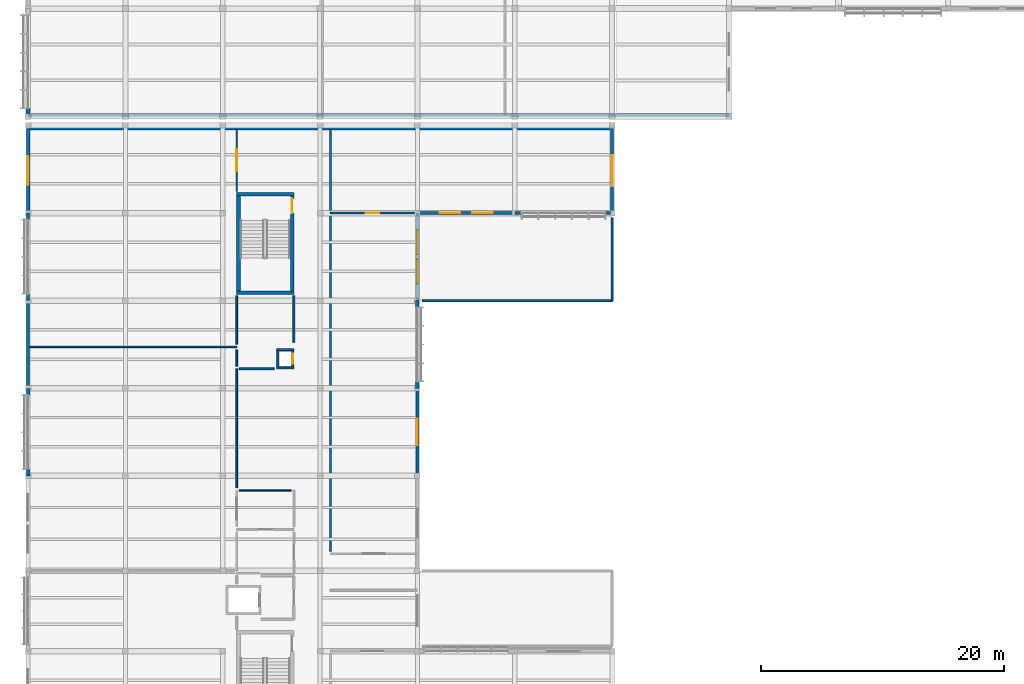
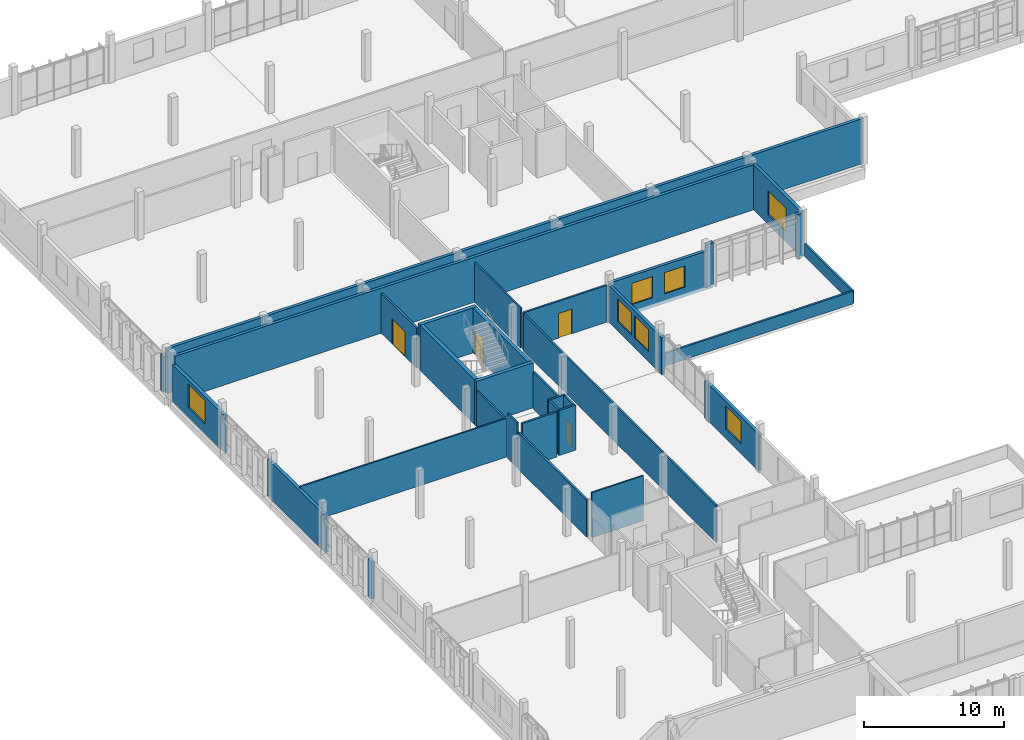
# One storey, part 166 of 182: 38 walls, 7 windows, 4 doors, 11 openings.
"""IFC4 building model written with IfcOpenShell, lengths in metres."""

from ifc_helpers import new_model, si_unit, direction, frame, frame_2d, origin, place, context, subcontext, project, spatial, rectangle, extrude, material, layer, layer_set, type_object, element, fill, save


model = new_model("IFC4")

# Units and contexts
model_context = context("Model", 3, precision=1e-05, world=origin(), true_north=direction((0.0, 1.0)))
body_context = subcontext(model_context, "Body", "Model", "MODEL_VIEW")
ifc_project = project(units=[si_unit("LENGTHUNIT", "METRE"), si_unit("AREAUNIT", "SQUARE_METRE"), si_unit("VOLUMEUNIT", "CUBIC_METRE"), si_unit("PLANEANGLEUNIT", "RADIAN"), si_unit("MASSUNIT", "GRAM", prefix="KILO")], contexts=[model_context])

# Site, building, storey
site_placement = place(None, origin())
site = spatial("IfcSite", under=ifc_project, at=site_placement, CompositionType="ELEMENT")
building_placement = place(site_placement, origin())
building = spatial("IfcBuilding", under=site, at=building_placement, Name="Chiffa Square Polytechnic", CompositionType="ELEMENT")
storey_placement = place(building_placement, frame((0.0, 0.0, 9.60009765625)))
storey = spatial("IfcBuildingStorey", under=building, at=storey_placement, Name="L02", CompositionType="ELEMENT", Elevation=9.60009765625)

# Walls
ifc_material_1 = material(Name="Concrete C40/50", Category="concrete")
ifc_layer_1 = layer(ifc_material_1, 0.300048828125, Name="Concrete C40/50")
ifc_layer_set_1 = layer_set([ifc_layer_1], Name="Concrete C40/50")
wall_type_1 = type_object("IfcWallType", Name="WL-CORE-300", PredefinedType="SHEAR", material=ifc_layer_set_1)
for number, where, z_axis, x_axis, name in (
    (1, (17.14990234375, 80.449951171875, 0.0), (0.0, 0.0, 1.0), (1.0, 0.0, 0.0), "Core or enclosure wall WC-CORE-V6B-L02-SOUTH"),
    (2, (17.14990234375, 88.550048828125, 0.0), (0.0, 0.0, 1.0), (1.0, 0.0, 0.0), "Core or enclosure wall WC-CORE-V6B-L02-NORTH"),
):
    element("IfcWall", number, at=place(storey_placement, frame(where, z_axis=z_axis, x_axis=x_axis)), inside=storey, type_object=wall_type_1, Name=name, PredefinedType="SHEAR", context=body_context, shape_type="SweptSolid", body=[
        extrude(rectangle(XDim=4.7001953125, YDim=0.300048828125, at=frame_2d((2.35009765625, 0.0))), origin(), (0.0, 0.0, 1.0), 3.93994140625),
    ])
wall_1_placement = place(storey_placement, frame((17.300048828125, 80.60009765625, 0.0), z_axis=(0.0, 0.0, 1.0), x_axis=(0.0, 1.0, 0.0)))
element("IfcWall", 3, at=wall_1_placement, inside=storey, type_object=wall_type_1, Name="Core or enclosure wall WC-CORE-V6B-L02-WEST", PredefinedType="SHEAR", context=body_context, shape_type="SweptSolid", body=[
    extrude(rectangle(XDim=7.7998046875, YDim=0.300048828125, at=frame_2d((3.89990234375, 0.0))), origin(), (0.0, 0.0, 1.0), 3.93994140625),
])

# Wall, opening, door
wall_2_placement = place(storey_placement, frame((21.699951171875, 80.60009765625, 0.0), z_axis=(0.0, 0.0, 1.0), x_axis=(0.0, 1.0, 0.0)))
wall_2 = element("IfcWall", 4, at=wall_2_placement, inside=storey, type_object=wall_type_1, Name="Core or enclosure wall WC-CORE-V6B-L02-EAST", PredefinedType="SHEAR", context=body_context, shape_type="SweptSolid", body=[
    extrude(rectangle(XDim=7.7998046875, YDim=0.300048828125, at=frame_2d((3.89990234375, 0.0))), origin(), (0.0, 0.0, 1.0), 3.93994140625),
])
opening_1_placement = place(wall_2_placement, frame((6.39990234375, 0.0, 0.0)))
opening_1 = element("IfcOpeningElement", 5, at=opening_1_placement, cuts=wall_2, Name="Opening DS-L02-053", PredefinedType="OPENING", context=body_context, shape_type="SweptSolid", body=[
    extrude(rectangle(XDim=1.199951171875, YDim=2.14990234375, at=frame_2d((0.60009765625, 1.074951171875))), frame((0.0, 0.16015625, 0.0), z_axis=(0.0, -1.0, 0.0), x_axis=(1.0, 0.0, 0.0)), (0.0, 0.0, 1.0), 0.320068359375),
])
ifc_material_2 = material(Name="Fire-rated painted steel leaf", Category="steel")
door_type_1 = type_object("IfcDoorType", Name="DR-STAIR-1200", OperationType="NOTDEFINED", PredefinedType="DOOR", material=ifc_material_2)
door_1_placement = place(opening_1_placement, origin())
door_1 = element("IfcDoor", 6, at=door_1_placement, inside=storey, type_object=door_type_1, Name="Enclosure door DS-L02-053", OperationType="SINGLE_SWING_LEFT", OverallHeight=2.14990234375, OverallWidth=1.199951171875, PredefinedType="DOOR", context=body_context, shape_type="SweptSolid", body=[
    extrude(rectangle(XDim=1.199951171875, YDim=2.14990234375, at=frame_2d((0.60009765625, 1.074951171875))), frame((0.0, 0.02490234375, 0.0), z_axis=(0.0, -1.0, 0.0), x_axis=(1.0, 0.0, 0.0)), (0.0, 0.0, 1.0), 0.050048828125),
])
fill(opening_1, door_1)

# Wall, openings, windows
ifc_material_3 = material(Name="Precast concrete C40/50", Category="concrete")
ifc_layer_2 = layer(ifc_material_3, 0.239990234375, Name="Precast concrete C40/50")
ifc_layer_set_2 = layer_set([ifc_layer_2], Name="Precast concrete C40/50")
wall_type_2 = type_object("IfcWallType", Name="WL-EXT-PC240", PredefinedType="SOLIDWALL", material=ifc_layer_set_2)
wall_3_placement = place(storey_placement, frame((32.0, 79.800048828125, 0.0), z_axis=(0.0, 0.0, 1.0), x_axis=(0.0, 1.0, 0.0)))
wall_3 = element("IfcWall", 7, at=wall_3_placement, inside=storey, type_object=wall_type_2, Name="Exterior wall WE-V6-L02-0436", PredefinedType="SOLIDWALL", context=body_context, shape_type="SweptSolid", body=[
    extrude(rectangle(XDim=7.199951171875, YDim=0.239990234375, at=frame_2d((3.60009765625, 0.0))), origin(), (0.0, 0.0, 1.0), 3.224853515625),
])
opening_2_placement = place(wall_3_placement, frame((1.39990234375, 0.0, 0.85009765625)))
opening_2 = element("IfcOpeningElement", 8, at=opening_2_placement, cuts=wall_3, Name="Opening W-12", PredefinedType="OPENING", context=body_context, shape_type="SweptSolid", body=[
    extrude(rectangle(XDim=2.0, YDim=1.949951171875, at=frame_2d((1.0, 0.97509765625))), frame((0.0, 0.1298828125, 0.0), z_axis=(0.0, -1.0, 0.0), x_axis=(1.0, 0.0, 0.0)), (0.0, 0.0, 1.0), 0.260009765625),
])
opening_3_placement = place(wall_3_placement, frame((3.800048828125, 0.0, 0.85009765625)))
opening_3 = element("IfcOpeningElement", 9, at=opening_3_placement, cuts=wall_3, Name="Opening W-12", PredefinedType="OPENING", context=body_context, shape_type="SweptSolid", body=[
    extrude(rectangle(XDim=2.0, YDim=1.949951171875, at=frame_2d((1.0, 0.97509765625))), frame((0.0, 0.1298828125, 0.0), z_axis=(0.0, -1.0, 0.0), x_axis=(1.0, 0.0, 0.0)), (0.0, 0.0, 1.0), 0.260009765625),
])
ifc_material_4 = material(Name="Double glazing in thermally broken aluminium frame", Category="aluminium")
window_type_1 = type_object("IfcWindowType", Name="WIN-STD-2000X1950", PartitioningType="DOUBLE_PANEL_VERTICAL", PredefinedType="WINDOW", material=ifc_material_4)
window_1_placement = place(opening_2_placement, origin())
window_1 = element("IfcWindow", 10, at=window_1_placement, inside=storey, type_object=window_type_1, Name="Facade window WN-L02-0291", OverallHeight=1.949951171875, OverallWidth=2.0, PartitioningType="DOUBLE_PANEL_VERTICAL", PredefinedType="WINDOW", context=body_context, shape_type="SweptSolid", body=[
    extrude(rectangle(XDim=2.0, YDim=1.949951171875, at=frame_2d((1.0, 0.97509765625))), frame((0.0, 0.030029296875, 0.0), z_axis=(0.0, -1.0, 0.0), x_axis=(1.0, 0.0, 0.0)), (0.0, 0.0, 1.0), 0.06005859375),
])
fill(opening_2, window_1)
window_2_placement = place(opening_3_placement, origin())
window_2 = element("IfcWindow", 11, at=window_2_placement, inside=storey, type_object=window_type_1, Name="Facade window WN-L02-0292", OverallHeight=1.949951171875, OverallWidth=2.0, PartitioningType="DOUBLE_PANEL_VERTICAL", PredefinedType="WINDOW", context=body_context, shape_type="SweptSolid", body=[
    extrude(rectangle(XDim=2.0, YDim=1.949951171875, at=frame_2d((1.0, 0.97509765625))), frame((0.0, 0.030029296875, 0.0), z_axis=(0.0, -1.0, 0.0), x_axis=(1.0, 0.0, 0.0)), (0.0, 0.0, 1.0), 0.06005859375),
])
fill(opening_3, window_2)

wall_4_placement = place(storey_placement, frame((32.0, 87.0, 0.0), z_axis=(0.0, 0.0, 1.0), x_axis=(1.0, 0.0, 0.0)))
wall_4 = element("IfcWall", 12, at=wall_4_placement, inside=storey, type_object=wall_type_2, Name="Exterior wall WE-V6-L02-0437", PredefinedType="SOLIDWALL", context=body_context, shape_type="SweptSolid", body=[
    extrude(rectangle(XDim=8.0, YDim=0.239990234375, at=frame_2d((4.0, 0.0))), origin(), (0.0, 0.0, 1.0), 3.375),
])
opening_4_placement = place(wall_4_placement, frame((1.81689453125, 0.0, 0.85009765625)))
opening_4 = element("IfcOpeningElement", 13, at=opening_4_placement, cuts=wall_4, Name="Opening W-14", PredefinedType="OPENING", context=body_context, shape_type="SweptSolid", body=[
    extrude(rectangle(XDim=1.699951171875, YDim=1.85009765625, at=frame_2d((0.85009765625, 0.925048828125))), frame((0.0, 0.1298828125, 0.0), z_axis=(0.0, -1.0, 0.0), x_axis=(1.0, 0.0, 0.0)), (0.0, 0.0, 1.0), 0.260009765625),
])
opening_5_placement = place(wall_4_placement, frame((4.48291015625, 0.0, 0.85009765625)))
opening_5 = element("IfcOpeningElement", 14, at=opening_5_placement, cuts=wall_4, Name="Opening W-14", PredefinedType="OPENING", context=body_context, shape_type="SweptSolid", body=[
    extrude(rectangle(XDim=1.699951171875, YDim=1.85009765625, at=frame_2d((0.85009765625, 0.925048828125))), frame((0.0, 0.1298828125, 0.0), z_axis=(0.0, -1.0, 0.0), x_axis=(1.0, 0.0, 0.0)), (0.0, 0.0, 1.0), 0.260009765625),
])
window_type_2 = type_object("IfcWindowType", Name="WIN-STD-1700X1850", PartitioningType="DOUBLE_PANEL_VERTICAL", PredefinedType="WINDOW", material=ifc_material_4)
window_3_placement = place(opening_4_placement, origin())
window_3 = element("IfcWindow", 15, at=window_3_placement, inside=storey, type_object=window_type_2, Name="Facade window WN-L02-0293", OverallHeight=1.85009765625, OverallWidth=1.699951171875, PartitioningType="DOUBLE_PANEL_VERTICAL", PredefinedType="WINDOW", context=body_context, shape_type="SweptSolid", body=[
    extrude(rectangle(XDim=1.699951171875, YDim=1.85009765625, at=frame_2d((0.85009765625, 0.925048828125))), frame((0.0, 0.030029296875, 0.0), z_axis=(0.0, -1.0, 0.0), x_axis=(1.0, 0.0, 0.0)), (0.0, 0.0, 1.0), 0.06005859375),
])
fill(opening_4, window_3)
window_4_placement = place(opening_5_placement, origin())
window_4 = element("IfcWindow", 16, at=window_4_placement, inside=storey, type_object=window_type_2, Name="Facade window WN-L02-0294", OverallHeight=1.85009765625, OverallWidth=1.699951171875, PartitioningType="DOUBLE_PANEL_VERTICAL", PredefinedType="WINDOW", context=body_context, shape_type="SweptSolid", body=[
    extrude(rectangle(XDim=1.699951171875, YDim=1.85009765625, at=frame_2d((0.85009765625, 0.925048828125))), frame((0.0, 0.030029296875, 0.0), z_axis=(0.0, -1.0, 0.0), x_axis=(1.0, 0.0, 0.0)), (0.0, 0.0, 1.0), 0.06005859375),
])
fill(opening_5, window_4)

# Walls
for number, where, z_axis, x_axis, name in (
    (17, (0.0, 87.0, 0.0), (0.0, 0.0, 1.0), (0.0, -1.0, 0.0), "Facade column pier V6-L02-0442L"),
    (18, (0.0, 80.340087890625, 0.0), (0.0, 0.0, 1.0), (0.0, -1.0, 0.0), "Facade column pier V6-L02-0442R"),
):
    element("IfcWall", number, at=place(storey_placement, frame(where, z_axis=z_axis, x_axis=x_axis)), inside=storey, type_object=wall_type_2, Name=name, PredefinedType="SOLIDWALL", context=body_context, shape_type="SweptSolid", body=[
        extrude(rectangle(XDim=0.5400390625, YDim=0.239990234375, at=frame_2d((0.27001953125, 0.0))), origin(), (0.0, 0.0, 1.0), 3.224853515625),
    ])

# Wall, opening, window
ifc_layer_3 = layer(ifc_material_3, 0.260009765625, Name="Precast concrete C40/50")
ifc_layer_set_3 = layer_set([ifc_layer_3], Name="Precast concrete C40/50")
wall_type_3 = type_object("IfcWallType", Name="WL-EXT-PC260", PredefinedType="SOLIDWALL", material=ifc_layer_set_3)
wall_5_placement = place(storey_placement, frame((32.0, 65.39990234375, 0.0), z_axis=(0.0, 0.0, 1.0), x_axis=(0.0, 1.0, 0.0)))
wall_5 = element("IfcWall", 19, at=wall_5_placement, inside=storey, type_object=wall_type_3, Name="Exterior wall WE-V6-L02-0434", PredefinedType="SOLIDWALL", context=body_context, shape_type="SweptSolid", body=[
    extrude(rectangle(XDim=7.2001953125, YDim=0.260009765625, at=frame_2d((3.60009765625, 0.0))), origin(), (0.0, 0.0, 1.0), 3.224853515625),
])
opening_6_placement = place(wall_5_placement, frame((2.5, 0.0, 0.85009765625)))
opening_6 = element("IfcOpeningElement", 20, at=opening_6_placement, cuts=wall_5, Name="Opening W-11", PredefinedType="OPENING", context=body_context, shape_type="SweptSolid", body=[
    extrude(rectangle(XDim=2.199951171875, YDim=2.0, at=frame_2d((1.10009765625, 1.0))), frame((0.0, 0.14013671875, 0.0), z_axis=(0.0, -1.0, 0.0), x_axis=(1.0, 0.0, 0.0)), (0.0, 0.0, 1.0), 0.280029296875),
])
window_type_3 = type_object("IfcWindowType", Name="WIN-STD-2200X2000", PartitioningType="DOUBLE_PANEL_VERTICAL", PredefinedType="WINDOW", material=ifc_material_4)
window_5_placement = place(opening_6_placement, origin())
window_5 = element("IfcWindow", 21, at=window_5_placement, inside=storey, type_object=window_type_3, Name="Facade window WN-L02-0290", OverallHeight=2.0, OverallWidth=2.199951171875, PartitioningType="DOUBLE_PANEL_VERTICAL", PredefinedType="WINDOW", context=body_context, shape_type="SweptSolid", body=[
    extrude(rectangle(XDim=2.199951171875, YDim=2.0, at=frame_2d((1.10009765625, 1.0))), frame((0.0, 0.030029296875, 0.0), z_axis=(0.0, -1.0, 0.0), x_axis=(1.0, 0.0, 0.0)), (0.0, 0.0, 1.0), 0.06005859375),
])
fill(opening_6, window_5)

# Walls
wall_6_placement = place(storey_placement, frame((40.0, 87.0, 0.0), z_axis=(0.0, 0.0, 1.0), x_axis=(1.0, 0.0, 0.0)))
element("IfcWall", 22, at=wall_6_placement, inside=storey, type_object=wall_type_3, Name="Facade column pier V6-L02-0438L", PredefinedType="SOLIDWALL", context=body_context, shape_type="SweptSolid", body=[
    extrude(rectangle(XDim=0.5400390625, YDim=0.260009765625, at=frame_2d((0.27001953125, 0.0))), origin(), (0.0, 0.0, 1.0), 3.93994140625),
])
wall_7_placement = place(storey_placement, frame((47.4599609375, 87.0, 0.0), z_axis=(0.0, 0.0, 1.0), x_axis=(1.0, 0.0, 0.0)))
element("IfcWall", 23, at=wall_7_placement, inside=storey, type_object=wall_type_3, Name="Facade column pier V6-L02-0438R", PredefinedType="SOLIDWALL", context=body_context, shape_type="SweptSolid", body=[
    extrude(rectangle(XDim=0.407958984375, YDim=0.260009765625, at=frame_2d((0.2041015625, 0.0))), origin(), (0.0, 0.0, 1.0), 3.93994140625),
])

# Wall, opening, window
wall_8_placement = place(storey_placement, frame((48.0, 87.0, 0.0), z_axis=(0.0, 0.0, 1.0), x_axis=(0.0, 1.0, 0.0)))
wall_8 = element("IfcWall", 24, at=wall_8_placement, inside=storey, type_object=wall_type_3, Name="Exterior wall WE-V6-L02-0439", PredefinedType="SOLIDWALL", context=body_context, shape_type="SweptSolid", body=[
    extrude(rectangle(XDim=6.949951171875, YDim=0.260009765625, at=frame_2d((3.47509765625, 0.0))), origin(), (0.0, 0.0, 1.0), 3.93994140625),
])
opening_7_placement = place(wall_8_placement, frame((2.199951171875, 0.0, 0.85009765625)))
opening_7 = element("IfcOpeningElement", 25, at=opening_7_placement, cuts=wall_8, Name="Opening W-09", PredefinedType="OPENING", context=body_context, shape_type="SweptSolid", body=[
    extrude(rectangle(XDim=2.550048828125, YDim=2.10009765625, at=frame_2d((1.27490234375, 1.050048828125))), frame((0.0, 0.14013671875, 0.0), z_axis=(0.0, -1.0, 0.0), x_axis=(1.0, 0.0, 0.0)), (0.0, 0.0, 1.0), 0.280029296875),
])
window_type_4 = type_object("IfcWindowType", Name="WIN-STD-2550X2100", PartitioningType="DOUBLE_PANEL_VERTICAL", PredefinedType="WINDOW", material=ifc_material_4)
window_6_placement = place(opening_7_placement, origin())
window_6 = element("IfcWindow", 26, at=window_6_placement, inside=storey, type_object=window_type_4, Name="Facade window WN-L02-0295", OverallHeight=2.10009765625, OverallWidth=2.550048828125, PartitioningType="DOUBLE_PANEL_VERTICAL", PredefinedType="WINDOW", context=body_context, shape_type="SweptSolid", body=[
    extrude(rectangle(XDim=2.550048828125, YDim=2.10009765625, at=frame_2d((1.27490234375, 1.050048828125))), frame((0.0, 0.030029296875, 0.0), z_axis=(0.0, -1.0, 0.0), x_axis=(1.0, 0.0, 0.0)), (0.0, 0.0, 1.0), 0.06005859375),
])
fill(opening_7, window_6)

# Walls
wall_9_placement = place(storey_placement, frame((0.0, 79.800048828125, 0.0), z_axis=(0.0, 0.0, 1.0), x_axis=(0.0, -1.0, 0.0)))
element("IfcWall", 27, at=wall_9_placement, inside=storey, type_object=wall_type_3, Name="Exterior wall WE-V6-L02-0443", PredefinedType="SOLIDWALL", context=body_context, shape_type="SweptSolid", body=[
    extrude(rectangle(XDim=7.199951171875, YDim=0.260009765625, at=frame_2d((3.60009765625, 0.0))), origin(), (0.0, 0.0, 1.0), 3.224853515625),
])
ifc_layer_4 = layer(ifc_material_3, 0.280029296875, Name="Precast concrete C40/50")
ifc_layer_set_4 = layer_set([ifc_layer_4], Name="Precast concrete C40/50")
wall_type_4 = type_object("IfcWallType", Name="WL-EXT-PC280", PredefinedType="SOLIDWALL", material=ifc_layer_set_4)
wall_10_placement = place(storey_placement, frame((32.0, 72.60009765625, 0.0), z_axis=(0.0, 0.0, 1.0), x_axis=(0.0, 1.0, 0.0)))
element("IfcWall", 28, at=wall_10_placement, inside=storey, type_object=wall_type_4, Name="Facade column pier V6-L02-0435L", PredefinedType="SOLIDWALL", context=body_context, shape_type="SweptSolid", body=[
    extrude(rectangle(XDim=0.539794921875, YDim=0.280029296875, at=frame_2d((0.27001953125, 0.0))), origin(), (0.0, 0.0, 1.0), 3.224853515625),
])
wall_11_placement = place(storey_placement, frame((32.0, 79.260009765625, 0.0), z_axis=(0.0, 0.0, 1.0), x_axis=(0.0, 1.0, 0.0)))
element("IfcWall", 29, at=wall_11_placement, inside=storey, type_object=wall_type_4, Name="Facade column pier V6-L02-0435R", PredefinedType="SOLIDWALL", context=body_context, shape_type="SweptSolid", body=[
    extrude(rectangle(XDim=0.5400390625, YDim=0.280029296875, at=frame_2d((0.27001953125, 0.0))), origin(), (0.0, 0.0, 1.0), 3.224853515625),
])

# Wall, opening, window
wall_12_placement = place(storey_placement, frame((0.0, 93.949951171875, 0.0), z_axis=(0.0, 0.0, 1.0), x_axis=(0.0, -1.0, 0.0)))
wall_12 = element("IfcWall", 30, at=wall_12_placement, inside=storey, type_object=wall_type_4, Name="Exterior wall WE-V6-L02-0441", PredefinedType="SOLIDWALL", context=body_context, shape_type="SweptSolid", body=[
    extrude(rectangle(XDim=6.949951171875, YDim=0.280029296875, at=frame_2d((3.47509765625, 0.0))), origin(), (0.0, 0.0, 1.0), 3.224853515625),
])
opening_8_placement = place(wall_12_placement, frame((2.27490234375, 0.0, 0.85009765625)))
opening_8 = element("IfcOpeningElement", 31, at=opening_8_placement, cuts=wall_12, Name="Opening W-10", PredefinedType="OPENING", context=body_context, shape_type="SweptSolid", body=[
    extrude(rectangle(XDim=2.39990234375, YDim=2.050048828125, at=frame_2d((1.199951171875, 1.02490234375))), frame((0.0, 0.14990234375, 0.0), z_axis=(0.0, -1.0, 0.0), x_axis=(1.0, 0.0, 0.0)), (0.0, 0.0, 1.0), 0.300048828125),
])
window_type_5 = type_object("IfcWindowType", Name="WIN-STD-2400X2050", PartitioningType="DOUBLE_PANEL_VERTICAL", PredefinedType="WINDOW", material=ifc_material_4)
window_7_placement = place(opening_8_placement, origin())
window_7 = element("IfcWindow", 32, at=window_7_placement, inside=storey, type_object=window_type_5, Name="Facade window WN-L02-0296", OverallHeight=2.050048828125, OverallWidth=2.39990234375, PartitioningType="DOUBLE_PANEL_VERTICAL", PredefinedType="WINDOW", context=body_context, shape_type="SweptSolid", body=[
    extrude(rectangle(XDim=2.39990234375, YDim=2.050048828125, at=frame_2d((1.199951171875, 1.02490234375))), frame((0.0, 0.030029296875, 0.0), z_axis=(0.0, -1.0, 0.0), x_axis=(1.0, 0.0, 0.0)), (0.0, 0.0, 1.0), 0.06005859375),
])
fill(opening_8, window_7)

# Walls
for number, where, z_axis, x_axis, name in (
    (33, (0.0, 72.60009765625, 0.0), (0.0, 0.0, 1.0), (0.0, -1.0, 0.0), "Facade column pier V6-L02-0444L"),
    (34, (0.0, 65.93994140625, 0.0), (0.0, 0.0, 1.0), (0.0, -1.0, 0.0), "Facade column pier V6-L02-0444R"),
):
    element("IfcWall", number, at=place(storey_placement, frame(where, z_axis=z_axis, x_axis=x_axis)), inside=storey, type_object=wall_type_4, Name=name, PredefinedType="SOLIDWALL", context=body_context, shape_type="SweptSolid", body=[
        extrude(rectangle(XDim=0.5400390625, YDim=0.280029296875, at=frame_2d((0.27001953125, 0.0))), origin(), (0.0, 0.0, 1.0), 3.224853515625),
    ])
ifc_layer_5 = layer(ifc_material_3, 0.320068359375, Name="Precast concrete C40/50")
ifc_layer_set_5 = layer_set([ifc_layer_5], Name="Precast concrete C40/50")
wall_type_5 = type_object("IfcWallType", Name="WL-EXT-PC320", PredefinedType="SOLIDWALL", material=ifc_layer_set_5)
wall_13_placement = place(storey_placement, frame((0.0, 95.590087890625, 0.0), z_axis=(0.0, 0.0, 1.0), x_axis=(0.0, -1.0, 0.0)))
element("IfcWall", 35, at=wall_13_placement, inside=storey, type_object=wall_type_5, Name="Facade column pier V5-L02-0327R", PredefinedType="SOLIDWALL", context=body_context, shape_type="SweptSolid", body=[
    extrude(rectangle(XDim=0.4130859375, YDim=0.320068359375, at=frame_2d((0.20654296875, 0.0))), origin(), (0.0, 0.0, 1.0), 3.1748046875),
])
ifc_layer_6 = layer(ifc_material_3, 0.159912109375, Name="Precast concrete C40/50")
ifc_layer_set_6 = layer_set([ifc_layer_6], Name="Precast concrete C40/50")
wall_type_6 = type_object("IfcWallType", Name="WL-PAR-160", PredefinedType="PARAPET", material=ifc_layer_set_6)
wall_14_placement = place(storey_placement, frame((32.39990234375, 79.800048828125, 0.2998046875), z_axis=(0.0, 0.0, 1.0), x_axis=(1.0, 0.0, 0.0)))
element("IfcWall", 36, at=wall_14_placement, inside=storey, type_object=wall_type_6, Name="Roof parapet PRP-V6-L02B-1", PredefinedType="PARAPET", context=body_context, shape_type="SweptSolid", body=[
    extrude(rectangle(XDim=15.60009765625, YDim=0.159912109375, at=frame_2d((7.800048828125, 0.0))), origin(), (0.0, 0.0, 1.0), 1.10009765625),
])
wall_15_placement = place(storey_placement, frame((48.0, 79.800048828125, 0.2998046875), z_axis=(0.0, 0.0, 1.0), x_axis=(0.0, 1.0, 0.0)))
element("IfcWall", 37, at=wall_15_placement, inside=storey, type_object=wall_type_6, Name="Roof parapet PRP-V6-L02B-2", PredefinedType="PARAPET", context=body_context, shape_type="SweptSolid", body=[
    extrude(rectangle(XDim=6.800048828125, YDim=0.159912109375, at=frame_2d((3.39990234375, 0.0))), origin(), (0.0, 0.0, 1.0), 1.10009765625),
])
ifc_material_5 = material(Name="Gypsum board on steel stud", Category="steel")
ifc_layer_7 = layer(ifc_material_5, 0.125, Name="Gypsum board on steel stud")
ifc_layer_set_7 = layer_set([ifc_layer_7], Name="Gypsum board on steel stud")
wall_type_7 = type_object("IfcWallType", Name="WL-PART-125", PredefinedType="PARTITIONING", material=ifc_layer_set_7)
wall_16_placement = place(storey_placement, frame((0.054931640625, 76.0, 0.0), z_axis=(0.0, 0.0, 1.0), x_axis=(1.0, 0.0, 0.0)))
element("IfcWall", 38, at=wall_16_placement, inside=storey, type_object=wall_type_7, Name="Interior partition WP-V6-L02-0452", PredefinedType="PARTITIONING", context=body_context, shape_type="SweptSolid", body=[
    extrude(rectangle(XDim=17.094970703125, YDim=0.125, at=frame_2d((8.54736328125, 0.0))), origin(), (0.0, 0.0, 1.0), 3.375),
])
wall_17_placement = place(storey_placement, frame((17.14990234375, 74.419921875, 0.0), z_axis=(0.0, 0.0, 1.0), x_axis=(0.0, 1.0, 0.0)))
element("IfcWall", 39, at=wall_17_placement, inside=storey, type_object=wall_type_7, Name="Interior partition WP-V6-L02-0455", PredefinedType="PARTITIONING", context=body_context, shape_type="SweptSolid", body=[
    extrude(rectangle(XDim=1.360107421875, YDim=0.125, at=frame_2d((0.68017578125, 0.0))), origin(), (0.0, 0.0, 1.0), 3.93994140625),
])
ifc_layer_8 = layer(ifc_material_5, 0.135009765625, Name="Gypsum board on steel stud")
ifc_layer_set_8 = layer_set([ifc_layer_8], Name="Gypsum board on steel stud")
wall_type_8 = type_object("IfcWallType", Name="WL-PART-135", PredefinedType="PARTITIONING", material=ifc_layer_set_8)
wall_18_placement = place(storey_placement, frame((24.85009765625, 87.219970703125, 0.0), z_axis=(0.0, 0.0, 1.0), x_axis=(0.0, 1.0, 0.0)))
element("IfcWall", 40, at=wall_18_placement, inside=storey, type_object=wall_type_8, Name="Interior partition WP-V6-L02-0433", PredefinedType="PARTITIONING", context=body_context, shape_type="SweptSolid", body=[
    extrude(rectangle(XDim=6.675048828125, YDim=0.135009765625, at=frame_2d((3.33740234375, 0.0))), origin(), (0.0, 0.0, 1.0), 3.48486328125),
])

# Wall, opening, door
ifc_layer_9 = layer(ifc_material_5, 0.14501953125, Name="Gypsum board on steel stud")
ifc_layer_set_9 = layer_set([ifc_layer_9], Name="Gypsum board on steel stud")
wall_type_9 = type_object("IfcWallType", Name="WL-PART-145", PredefinedType="PARTITIONING", material=ifc_layer_set_9)
wall_19_placement = place(storey_placement, frame((24.85009765625, 87.0, 0.0), z_axis=(0.0, 0.0, 1.0), x_axis=(1.0, 0.0, 0.0)))
wall_19 = element("IfcWall", 41, at=wall_19_placement, inside=storey, type_object=wall_type_9, Name="Interior partition WP-V6-L02-0432", PredefinedType="PARTITIONING", context=body_context, shape_type="SweptSolid", body=[
    extrude(rectangle(XDim=6.909912109375, YDim=0.14501953125, at=frame_2d((3.455078125, 0.0))), origin(), (0.0, 0.0, 1.0), 3.224853515625),
])
opening_9_placement = place(wall_19_placement, frame((2.905029296875, 0.0, 0.0)))
opening_9 = element("IfcOpeningElement", 42, at=opening_9_placement, cuts=wall_19, Name="Opening DI-L02-175", PredefinedType="OPENING", context=body_context, shape_type="SweptSolid", body=[
    extrude(rectangle(XDim=1.10009765625, YDim=2.14990234375, at=frame_2d((0.550048828125, 1.074951171875))), frame((0.0, 0.08251953125, 0.0), z_axis=(0.0, -1.0, 0.0), x_axis=(1.0, 0.0, 0.0)), (0.0, 0.0, 1.0), 0.1650390625),
])
ifc_material_6 = material(Name="Solid core ash veneer door")
door_type_2 = type_object("IfcDoorType", Name="DR-INT-1100", OperationType="NOTDEFINED", PredefinedType="DOOR", material=ifc_material_6)
door_2_placement = place(opening_9_placement, origin())
door_2 = element("IfcDoor", 43, at=door_2_placement, inside=storey, type_object=door_type_2, Name="Interior room door DI-L02-175", OperationType="SINGLE_SWING_LEFT", OverallHeight=2.14990234375, OverallWidth=1.10009765625, PredefinedType="DOOR", context=body_context, shape_type="SweptSolid", body=[
    extrude(rectangle(XDim=1.10009765625, YDim=2.14990234375, at=frame_2d((0.550048828125, 1.074951171875))), frame((0.0, 0.02490234375, 0.0), z_axis=(0.0, -1.0, 0.0), x_axis=(1.0, 0.0, 0.0)), (0.0, 0.0, 1.0), 0.050048828125),
])
fill(opening_9, door_2)

# Walls
wall_20_placement = place(storey_placement, frame((24.85009765625, 59.219970703125, 0.0), z_axis=(0.0, 0.0, 1.0), x_axis=(0.0, 1.0, 0.0)))
element("IfcWall", 44, at=wall_20_placement, inside=storey, type_object=wall_type_9, Name="Interior partition WP-V6-L02-0441", PredefinedType="PARTITIONING", context=body_context, shape_type="SweptSolid", body=[
    extrude(rectangle(XDim=27.56005859375, YDim=0.14501953125, at=frame_2d((13.780029296875, 0.0))), origin(), (0.0, 0.0, 1.0), 3.224853515625),
])
wall_21_placement = place(storey_placement, frame((17.14990234375, 76.219970703125, 0.0), z_axis=(0.0, 0.0, 1.0), x_axis=(0.0, 1.0, 0.0)))
element("IfcWall", 45, at=wall_21_placement, inside=storey, type_object=wall_type_9, Name="Interior partition WP-V6-L02-0453", PredefinedType="PARTITIONING", context=body_context, shape_type="SweptSolid", body=[
    extrude(rectangle(XDim=3.989990234375, YDim=0.14501953125, at=frame_2d((1.9951171875, 0.0))), origin(), (0.0, 0.0, 1.0), 3.224853515625),
])
ifc_material_7 = material(Name="Gypsum board on acoustic steel stud", Category="steel")
ifc_layer_10 = layer(ifc_material_7, 0.159912109375, Name="Gypsum board on acoustic steel stud")
ifc_layer_set_10 = layer_set([ifc_layer_10], Name="Gypsum board on acoustic steel stud")
wall_type_10 = type_object("IfcWallType", Name="WL-PART-EI60-160", PredefinedType="PARTITIONING", material=ifc_layer_set_10)
for number, where, z_axis, x_axis, name in (
    (46, (20.449951171875, 74.280029296875, 0.0), (0.0, 0.0, 1.0), (1.0, 0.0, 0.0), "Core or enclosure wall WP-RSR-V6-N-L02-SOUTH"),
    (47, (20.449951171875, 75.77001953125, 0.0), (0.0, 0.0, 1.0), (1.0, 0.0, 0.0), "Core or enclosure wall WP-RSR-V6-N-L02-NORTH"),
):
    element("IfcWall", number, at=place(storey_placement, frame(where, z_axis=z_axis, x_axis=x_axis)), inside=storey, type_object=wall_type_10, Name=name, PredefinedType="PARTITIONING", context=body_context, shape_type="SweptSolid", body=[
        extrude(rectangle(XDim=1.400146484375, YDim=0.159912109375, at=frame_2d((0.7001953125, 0.0))), origin(), (0.0, 0.0, 1.0), 3.93994140625),
    ])
wall_22_placement = place(storey_placement, frame((20.530029296875, 74.360107421875, 0.0), z_axis=(0.0, 0.0, 1.0), x_axis=(0.0, 1.0, 0.0)))
element("IfcWall", 48, at=wall_22_placement, inside=storey, type_object=wall_type_10, Name="Core or enclosure wall WP-RSR-V6-N-L02-WEST", PredefinedType="PARTITIONING", context=body_context, shape_type="SweptSolid", body=[
    extrude(rectangle(XDim=1.329833984375, YDim=0.159912109375, at=frame_2d((0.6650390625, 0.0))), origin(), (0.0, 0.0, 1.0), 3.93994140625),
])

# Wall, opening, door
wall_23_placement = place(storey_placement, frame((21.77001953125, 74.360107421875, 0.0), z_axis=(0.0, 0.0, 1.0), x_axis=(0.0, 1.0, 0.0)))
wall_23 = element("IfcWall", 49, at=wall_23_placement, inside=storey, type_object=wall_type_10, Name="Core or enclosure wall WP-RSR-V6-N-L02-EAST", PredefinedType="PARTITIONING", context=body_context, shape_type="SweptSolid", body=[
    extrude(rectangle(XDim=1.329833984375, YDim=0.159912109375, at=frame_2d((0.6650390625, 0.0))), origin(), (0.0, 0.0, 1.0), 3.93994140625),
])
opening_10_placement = place(wall_23_placement, frame((0.239990234375, 0.0, 0.0)))
opening_10 = element("IfcOpeningElement", 50, at=opening_10_placement, cuts=wall_23, Name="Opening DI-L02-R24", PredefinedType="OPENING", context=body_context, shape_type="SweptSolid", body=[
    extrude(rectangle(XDim=0.85009765625, YDim=2.02001953125, at=frame_2d((0.425048828125, 1.010009765625))), frame((0.0, 0.08984375, 0.0), z_axis=(0.0, -1.0, 0.0), x_axis=(1.0, 0.0, 0.0)), (0.0, 0.0, 1.0), 0.179931640625),
])
ifc_material_8 = material(Name="Fire-rated steel riser access door", Category="steel")
door_type_3 = type_object("IfcDoorType", Name="DR-RISER-850", OperationType="NOTDEFINED", PredefinedType="DOOR", material=ifc_material_8)
door_3_placement = place(opening_10_placement, origin())
door_3 = element("IfcDoor", 51, at=door_3_placement, inside=storey, type_object=door_type_3, Name="Enclosure door DI-L02-R24", OperationType="SINGLE_SWING_RIGHT", OverallHeight=2.02001953125, OverallWidth=0.85009765625, PredefinedType="DOOR", context=body_context, shape_type="SweptSolid", body=[
    extrude(rectangle(XDim=0.85009765625, YDim=2.02001953125, at=frame_2d((0.425048828125, 1.010009765625))), frame((0.0, 0.02490234375, 0.0), z_axis=(0.0, -1.0, 0.0), x_axis=(1.0, 0.0, 0.0)), (0.0, 0.0, 1.0), 0.050048828125),
])
fill(opening_10, door_3)

# Wall
wall_24_placement = place(storey_placement, frame((17.14990234375, 64.419921875, 0.0), z_axis=(0.0, 0.0, 1.0), x_axis=(0.0, 1.0, 0.0)))
element("IfcWall", 52, at=wall_24_placement, inside=storey, type_object=wall_type_10, Name="Interior partition WP-V6-L02-0449", PredefinedType="PARTITIONING", context=body_context, shape_type="SweptSolid", body=[
    extrude(rectangle(XDim=9.780029296875, YDim=0.159912109375, at=frame_2d((4.89013671875, 0.0))), origin(), (0.0, 0.0, 1.0), 3.224853515625),
])

# Wall, opening, door
wall_25_placement = place(storey_placement, frame((17.14990234375, 88.7900390625, 0.0), z_axis=(0.0, 0.0, 1.0), x_axis=(0.0, 1.0, 0.0)))
wall_25 = element("IfcWall", 53, at=wall_25_placement, inside=storey, type_object=wall_type_10, Name="Interior partition WP-V6-L02-0450", PredefinedType="PARTITIONING", context=body_context, shape_type="SweptSolid", body=[
    extrude(rectangle(XDim=5.10498046875, YDim=0.159912109375, at=frame_2d((2.552490234375, 0.0))), origin(), (0.0, 0.0, 1.0), 3.48486328125),
])
opening_11_placement = place(wall_25_placement, frame((1.652099609375, 0.0, 0.0)))
opening_11 = element("IfcOpeningElement", 54, at=opening_11_placement, cuts=wall_25, Name="Opening DI-L02-178", PredefinedType="OPENING", context=body_context, shape_type="SweptSolid", body=[
    extrude(rectangle(XDim=1.800048828125, YDim=2.199951171875, at=frame_2d((0.89990234375, 1.10009765625))), frame((0.0, 0.08984375, 0.0), z_axis=(0.0, -1.0, 0.0), x_axis=(1.0, 0.0, 0.0)), (0.0, 0.0, 1.0), 0.179931640625),
])
ifc_material_9 = material(Name="Solid oak fire door pair")
door_type_4 = type_object("IfcDoorType", Name="DR-CORR-DBL-1800", OperationType="DOUBLE_DOOR_SINGLE_SWING", PredefinedType="DOOR", material=ifc_material_9)
door_4_placement = place(opening_11_placement, origin())
door_4 = element("IfcDoor", 55, at=door_4_placement, inside=storey, type_object=door_type_4, Name="Interior room door DI-L02-178", OperationType="DOUBLE_DOOR_SINGLE_SWING", OverallHeight=2.199951171875, OverallWidth=1.800048828125, PredefinedType="DOOR", context=body_context, shape_type="SweptSolid", body=[
    extrude(rectangle(XDim=1.800048828125, YDim=2.199951171875, at=frame_2d((0.89990234375, 1.10009765625))), frame((0.0, 0.02490234375, 0.0), z_axis=(0.0, -1.0, 0.0), x_axis=(1.0, 0.0, 0.0)), (0.0, 0.0, 1.0), 0.050048828125),
])
fill(opening_11, door_4)

# Walls
wall_26_placement = place(storey_placement, frame((17.3701171875, 74.199951171875, 0.0), z_axis=(0.0, 0.0, 1.0), x_axis=(1.0, 0.0, 0.0)))
element("IfcWall", 56, at=wall_26_placement, inside=storey, type_object=wall_type_10, Name="Interior partition WP-V6-L02-0500", PredefinedType="PARTITIONING", context=body_context, shape_type="SweptSolid", body=[
    extrude(rectangle(XDim=2.85400390625, YDim=0.159912109375, at=frame_2d((1.427001953125, 0.0))), origin(), (0.0, 0.0, 1.0), 3.93994140625),
])
wall_27_placement = place(storey_placement, frame((21.85009765625, 76.37109375, 0.0), z_axis=(0.0, 0.0, 1.0), x_axis=(0.0, 1.0, 0.0)))
element("IfcWall", 57, at=wall_27_placement, inside=storey, type_object=wall_type_10, Name="Interior partition WP-V6-L02-0501", PredefinedType="PARTITIONING", context=body_context, shape_type="SweptSolid", body=[
    extrude(rectangle(XDim=3.8388671875, YDim=0.159912109375, at=frame_2d((1.91943359375, 0.0))), origin(), (0.0, 0.0, 1.0), 3.224853515625),
])
ifc_material_10 = material(Name="Moisture-resistant board partition")
ifc_layer_11 = layer(ifc_material_10, 0.1201171875, Name="Moisture-resistant board partition")
ifc_layer_set_11 = layer_set([ifc_layer_11], Name="Moisture-resistant board partition")
wall_type_11 = type_object("IfcWallType", Name="WL-PART-WC-120", PredefinedType="PARTITIONING", material=ifc_layer_set_11)
wall_28_placement = place(storey_placement, frame((17.3701171875, 64.199951171875, 0.0), z_axis=(0.0, 0.0, 1.0), x_axis=(1.0, 0.0, 0.0)))
element("IfcWall", 58, at=wall_28_placement, inside=storey, type_object=wall_type_11, Name="Interior partition WP-V6-L02-0401", PredefinedType="PARTITIONING", context=body_context, shape_type="SweptSolid", body=[
    extrude(rectangle(XDim=4.259765625, YDim=0.1201171875, at=frame_2d((2.1298828125, 0.0))), origin(), (0.0, 0.0, 1.0), 3.93994140625),
])
ifc_material_11 = material(Name="Concrete C35/45", Category="concrete")
ifc_layer_12 = layer(ifc_material_11, 0.25, Name="Concrete C35/45")
ifc_layer_set_12 = layer_set([ifc_layer_12], Name="Concrete C35/45")
wall_type_12 = type_object("IfcWallType", Name="WL-SJ-250", PredefinedType="SHEAR", material=ifc_layer_set_12)
wall_29_placement = place(storey_placement, frame((0.0, 95.050048828125, 0.0), z_axis=(0.0, 0.0, 1.0), x_axis=(1.0, 0.0, 0.0)))
element("IfcWall", 59, at=wall_29_placement, inside=storey, type_object=wall_type_12, Name="Seismic-joint fire wall WE-V5-L02-0293", PredefinedType="SHEAR", context=body_context, shape_type="SweptSolid", body=[
    extrude(rectangle(XDim=57.60009765625, YDim=0.25, at=frame_2d((28.800048828125, 0.0))), origin(), (0.0, 0.0, 1.0), 3.93994140625),
])
wall_30_placement = place(storey_placement, frame((48.0, 93.949951171875, 0.0), z_axis=(0.0, 0.0, 1.0), x_axis=(-1.0, 0.0, 0.0)))
element("IfcWall", 60, at=wall_30_placement, inside=storey, type_object=wall_type_12, Name="Seismic-joint fire wall WE-V6-L02-0440", PredefinedType="SHEAR", context=body_context, shape_type="SweptSolid", body=[
    extrude(rectangle(XDim=48.0, YDim=0.25, at=frame_2d((24.0, 0.0))), origin(), (0.0, 0.0, 1.0), 3.93994140625),
])

save(model, "model.ifc")
